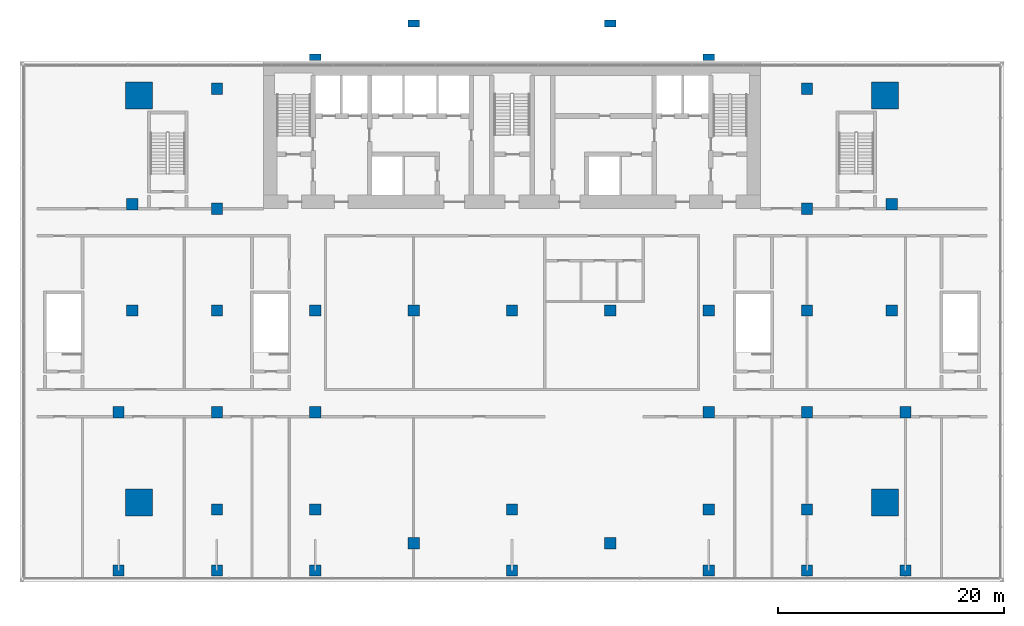
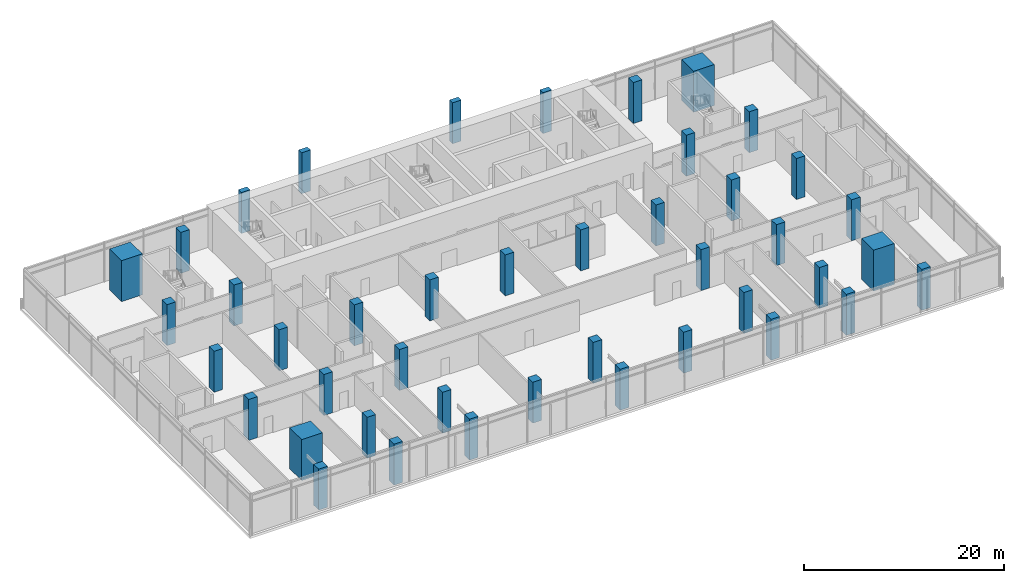
# One storey, part 1 of 17: 43 columns.
"""IFC4 building model written with IfcOpenShell, lengths in metres."""

from ifc_helpers import new_model, si_unit, direction, frame, origin, origin_2d, place, context, subcontext, project, spatial, rectangle, extrude, material, material_profile, profile_set, type_object, element, save


model = new_model("IFC4")

# Units and contexts
model_context = context("Model", 3, precision=1e-05, world=origin(), true_north=direction((0.0, 1.0)))
body_context = subcontext(model_context, "Body", "Model", "MODEL_VIEW")
ifc_project = project(units=[si_unit("LENGTHUNIT", "METRE"), si_unit("AREAUNIT", "SQUARE_METRE"), si_unit("VOLUMEUNIT", "CUBIC_METRE"), si_unit("PLANEANGLEUNIT", "RADIAN"), si_unit("MASSUNIT", "GRAM", prefix="KILO")], contexts=[model_context])

# Site, building, storey
site_placement = place(None, origin())
site = spatial("IfcSite", under=ifc_project, at=site_placement, CompositionType="ELEMENT")
building_placement = place(site_placement, origin())
building = spatial("IfcBuilding", under=site, at=building_placement, Name="Bicima Exchange Tower", CompositionType="ELEMENT")
storey_placement = place(building_placement, frame((0.0, 0.0, 30.0)))
storey = spatial("IfcBuildingStorey", under=building, at=storey_placement, Name="L05", CompositionType="ELEMENT", Elevation=30.0)

# Columns
ifc_material = material(Name="Concrete C60/75", Category="concrete")
ifc_material_profile_1 = material_profile(ifc_material, rectangle(XDim=2.39990234375, YDim=2.39990234375, at=origin_2d()))
ifc_profile_set_1 = profile_set([ifc_material_profile_1], Name="Concrete C60/75")
column_type_1 = type_object("IfcColumnType", Name="Reinforced concrete mega column 2400 x 2400", PredefinedType="COLUMN", material=ifc_profile_set_1)
for number, where, z_axis, x_axis, name in (
    (1, (-33.0, -39.0, 0.0), (0.0, 0.0, 1.0), (1.0, 0.0, 0.0), "Mega column"),
    (2, (-33.0, -3.0, 0.0), (0.0, 0.0, 1.0), (1.0, 0.0, 0.0), "Mega column"),
    (3, (33.0, -39.0, 0.0), (0.0, 0.0, 1.0), (1.0, 0.0, 0.0), "Mega column"),
    (4, (33.0, -3.0, 0.0), (0.0, 0.0, 1.0), (1.0, 0.0, 0.0), "Mega column"),
):
    element("IfcColumn", number, at=place(storey_placement, frame(where, z_axis=z_axis, x_axis=x_axis)), inside=storey, type_object=column_type_1, Name=name, PredefinedType="COLUMN", context=body_context, shape_type="SweptSolid", body=[
        extrude(rectangle(XDim=2.39990234375, YDim=2.39990234375, at=origin_2d()), origin(), (0.0, 0.0, 1.0), 5.0),
    ])
ifc_material_profile_2 = material_profile(ifc_material, rectangle(XDim=1.0, YDim=1.0, at=origin_2d()))
ifc_profile_set_2 = profile_set([ifc_material_profile_2], Name="Concrete C60/75")
column_type_2 = type_object("IfcColumnType", Name="Reinforced concrete podium column 1000 x 1000", PredefinedType="COLUMN", material=ifc_profile_set_2)
for number, where, z_axis, x_axis, name in (
    (5, (-26.10009765625, -39.60009765625, 0.0), (0.0, 0.0, 1.0), (1.0, 0.0, 0.0), "Column"),
    (6, (-26.10009765625, -2.39990234375, 0.0), (0.0, 0.0, 1.0), (1.0, 0.0, 0.0), "Column"),
    (7, (-17.39990234375, -39.60009765625, 0.0), (0.0, 0.0, 1.0), (1.0, 0.0, 0.0), "Column"),
    (8, (-8.699951171875, -42.591064453125, 0.0), (0.0, 0.0, 1.0), (1.0, 0.0, 0.0), "Column"),
    (9, (0.0, -39.60009765625, 0.0), (0.0, 0.0, 1.0), (1.0, 0.0, 0.0), "Column"),
    (10, (8.699951171875, -42.591064453125, 0.0), (0.0, 0.0, 1.0), (1.0, 0.0, 0.0), "Column"),
    (11, (17.39990234375, -39.60009765625, 0.0), (0.0, 0.0, 1.0), (1.0, 0.0, 0.0), "Column"),
    (12, (26.10009765625, -39.60009765625, 0.0), (0.0, 0.0, 1.0), (1.0, 0.0, 0.0), "Column"),
    (13, (26.10009765625, -2.39990234375, 0.0), (0.0, 0.0, 1.0), (1.0, 0.0, 0.0), "Column"),
    (14, (-33.60009765625, -12.60009765625, 0.0), (0.0, 0.0, 1.0), (1.0, 0.0, 0.0), "Column"),
    (15, (-33.60009765625, -22.0, 0.0), (0.0, 0.0, 1.0), (1.0, 0.0, 0.0), "Column"),
    (16, (33.60009765625, -12.60009765625, 0.0), (0.0, 0.0, 1.0), (1.0, 0.0, 0.0), "Column"),
    (17, (33.60009765625, -22.0, 0.0), (0.0, 0.0, 1.0), (1.0, 0.0, 0.0), "Column"),
    (18, (-26.10009765625, -22.0, 0.0), (0.0, 0.0, 1.0), (1.0, 0.0, 0.0), "Column"),
    (19, (-17.39990234375, -22.0, 0.0), (0.0, 0.0, 1.0), (1.0, 0.0, 0.0), "Column"),
    (20, (-8.699951171875, -22.0, 0.0), (0.0, 0.0, 1.0), (1.0, 0.0, 0.0), "Column"),
    (21, (0.0, -22.0, 0.0), (0.0, 0.0, 1.0), (1.0, 0.0, 0.0), "Column"),
    (22, (8.699951171875, -22.0, 0.0), (0.0, 0.0, 1.0), (1.0, 0.0, 0.0), "Column"),
    (23, (17.39990234375, -22.0, 0.0), (0.0, 0.0, 1.0), (1.0, 0.0, 0.0), "Column"),
    (24, (26.10009765625, -22.0, 0.0), (0.0, 0.0, 1.0), (1.0, 0.0, 0.0), "Column"),
    (25, (-34.800048828125, -31.0, 0.0), (0.0, 0.0, 1.0), (1.0, 0.0, 0.0), "Column"),
    (26, (-34.800048828125, -45.0, 0.0), (0.0, 0.0, 1.0), (1.0, 0.0, 0.0), "Column"),
    (27, (-26.10009765625, -13.0, 0.0), (0.0, 0.0, 1.0), (1.0, 0.0, 0.0), "Column"),
    (28, (-26.10009765625, -31.0, 0.0), (0.0, 0.0, 1.0), (1.0, 0.0, 0.0), "Column"),
    (29, (-26.10009765625, -45.0, 0.0), (0.0, 0.0, 1.0), (1.0, 0.0, 0.0), "Column"),
    (30, (-17.39990234375, -31.0, 0.0), (0.0, 0.0, 1.0), (1.0, 0.0, 0.0), "Column"),
    (31, (-17.39990234375, -45.0, 0.0), (0.0, 0.0, 1.0), (1.0, 0.0, 0.0), "Column"),
    (32, (0.0, -45.0, 0.0), (0.0, 0.0, 1.0), (1.0, 0.0, 0.0), "Column"),
    (33, (17.39990234375, -31.0, 0.0), (0.0, 0.0, 1.0), (1.0, 0.0, 0.0), "Column"),
    (34, (17.39990234375, -45.0, 0.0), (0.0, 0.0, 1.0), (1.0, 0.0, 0.0), "Column"),
    (35, (26.10009765625, -13.0, 0.0), (0.0, 0.0, 1.0), (1.0, 0.0, 0.0), "Column"),
    (36, (26.10009765625, -31.0, 0.0), (0.0, 0.0, 1.0), (1.0, 0.0, 0.0), "Column"),
    (37, (26.10009765625, -45.0, 0.0), (0.0, 0.0, 1.0), (1.0, 0.0, 0.0), "Column"),
    (38, (34.800048828125, -31.0, 0.0), (0.0, 0.0, 1.0), (1.0, 0.0, 0.0), "Column"),
    (39, (34.800048828125, -45.0, 0.0), (0.0, 0.0, 1.0), (1.0, 0.0, 0.0), "Column"),
):
    element("IfcColumn", number, at=place(storey_placement, frame(where, z_axis=z_axis, x_axis=x_axis)), inside=storey, type_object=column_type_2, Name=name, PredefinedType="COLUMN", context=body_context, shape_type="SweptSolid", body=[
        extrude(rectangle(XDim=1.0, YDim=1.0, at=origin_2d()), origin(), (0.0, 0.0, 1.0), 5.0),
    ])
ifc_material_profile_3 = material_profile(ifc_material, rectangle(XDim=1.0, YDim=0.60009765625, at=origin_2d()))
ifc_profile_set_3 = profile_set([ifc_material_profile_3], Name="Concrete C60/75")
column_type_3 = type_object("IfcColumnType", Name="Reinforced concrete rear pilaster column 1000 x 600", PredefinedType="COLUMN", material=ifc_profile_set_3)
for number, where, z_axis, x_axis, name in (
    (40, (-8.699951171875, 3.39111328125, 0.0), (0.0, 0.0, 1.0), (1.0, 0.0, 0.0), "Column"),
    (41, (-17.39990234375, 0.39990234375, 0.0), (0.0, 0.0, 1.0), (1.0, 0.0, 0.0), "Column"),
    (42, (8.699951171875, 3.39111328125, 0.0), (0.0, 0.0, 1.0), (1.0, 0.0, 0.0), "Column"),
    (43, (17.39990234375, 0.39990234375, 0.0), (0.0, 0.0, 1.0), (1.0, 0.0, 0.0), "Column"),
):
    element("IfcColumn", number, at=place(storey_placement, frame(where, z_axis=z_axis, x_axis=x_axis)), inside=storey, type_object=column_type_3, Name=name, PredefinedType="COLUMN", context=body_context, shape_type="SweptSolid", body=[
        extrude(rectangle(XDim=1.0, YDim=0.60009765625, at=origin_2d()), origin(), (0.0, 0.0, 1.0), 5.0),
    ])

save(model, "model.ifc")
